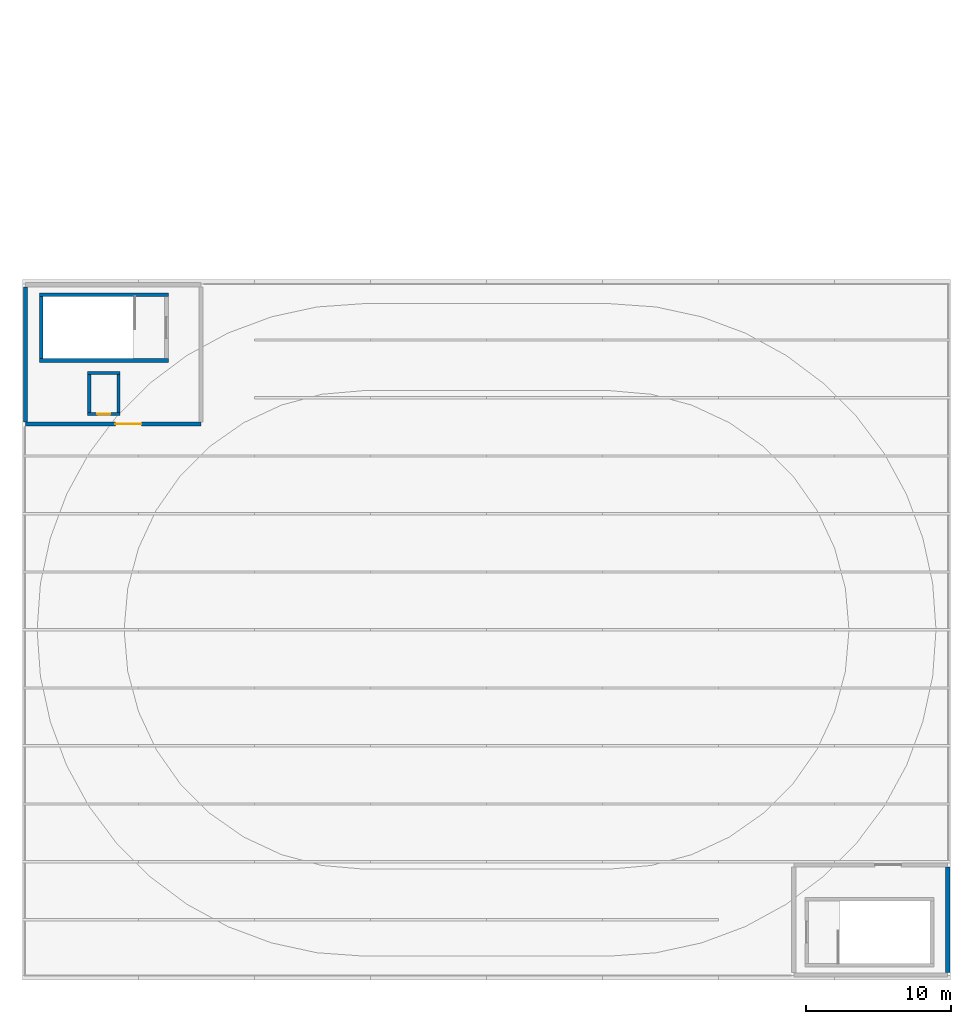
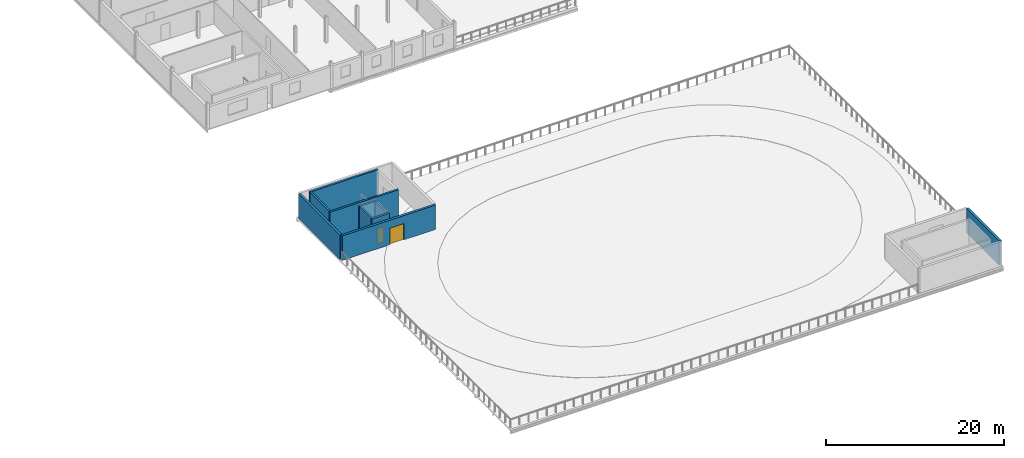
# One storey, part 5 of 11: 10 walls, 2 doors, 2 openings.
"""IFC4 building model written with IfcOpenShell, lengths in metres."""

import ifcopenshell
import ifcopenshell.guid

model = None  # the IFC model being written
_history = None  # IfcOwnerHistory: only IFC2X3 demands one
_inside = {}  # id of a spatial element -> (the spatial element, [elements in it])
_under = {}  # id of a project, library or spatial element -> (it, [spatial elements below it])
_declared = {}  # id of a project -> (the project, [libraries it declares])
_typed = {}  # id of a type object -> (the type object, [elements of that type])
_made_of = {}  # id of a material, layer set ... -> (it, [elements and type objects made of it])


def new_model(schema):
    """Start an empty IFC model of exactly this schema.

    Asked for "IFC4X3", IfcOpenShell would pick the latest addendum, in which some entities
    have other attributes; the version numbers below select the first issue.
    IFC2X3 requires an IfcOwnerHistory on every rooted entity: one is made here for all.
    """
    global model, _history
    if schema == "IFC4X3":
        model = ifcopenshell.file(schema_version=(4, 3, 0, 0))
    else:
        model = ifcopenshell.file(schema=schema)
    _inside.clear()
    _under.clear()
    _declared.clear()
    _typed.clear()
    _made_of.clear()
    _history = None
    if model.schema == "IFC2X3":
        org = make("IfcOrganization", Name="unknown")
        user = make(
            "IfcPersonAndOrganization",
            ThePerson=make("IfcPerson", FamilyName="unknown"),
            TheOrganization=org,
        )
        app = make(
            "IfcApplication",
            ApplicationDeveloper=org,
            Version="unknown",
            ApplicationFullName="unknown",
            ApplicationIdentifier="unknown",
        )
        _history = make(
            "IfcOwnerHistory",
            OwningUser=user,
            OwningApplication=app,
            ChangeAction="ADDED",
            CreationDate=0,
        )
    return model


def make(cls, **values):
    """One entity of the class cls with the attributes given. An attribute that is None is left unset."""
    return model.create_entity(
        cls, **{name: value for name, value in values.items() if value is not None}
    )


def rooted(cls, **values):
    """An entity with a GlobalId (a new one), such as an element, a storey or a relation."""
    return make(cls, GlobalId=ifcopenshell.guid.new(), OwnerHistory=_history, **values)


def si_unit(unit_type, name, prefix=None):
    """IfcSIUnit, for example si_unit("LENGTHUNIT", "METRE", prefix="MILLI")."""
    return make("IfcSIUnit", UnitType=unit_type, Prefix=prefix, Name=name)


def derived_unit(unit_type, elements):
    """IfcDerivedUnit: a product of units, each with its exponent."""
    return make(
        "IfcDerivedUnit",
        Elements=[
            make("IfcDerivedUnitElement", Unit=unit, Exponent=power)
            for unit, power in elements
        ],
        UnitType=unit_type,
    )


def assignment(units):
    """IfcUnitAssignment: the units of a project."""
    return None if units is None else make("IfcUnitAssignment", Units=units)


def point(xyz):
    """IfcCartesianPoint."""
    return None if xyz is None else make("IfcCartesianPoint", Coordinates=xyz)


def direction(xyz):
    """IfcDirection."""
    return None if xyz is None else make("IfcDirection", DirectionRatios=xyz)


def frame(location, z_axis=None, x_axis=None):
    """IfcAxis2Placement3D, a coordinate frame: its origin and axes. An axis left out is left unset."""
    return make(
        "IfcAxis2Placement3D",
        Location=point(location),
        Axis=direction(z_axis),
        RefDirection=direction(x_axis),
    )


def frame_2d(location, x_axis=None):
    """IfcAxis2Placement2D, a coordinate frame in the plane: its origin and x axis."""
    return make(
        "IfcAxis2Placement2D", Location=point(location), RefDirection=direction(x_axis)
    )


def origin():
    """The frame at (0, 0, 0) with its axes left unset."""
    return frame((0.0, 0.0, 0.0))


def place(relative_to, where):
    """IfcLocalPlacement: puts the frame where relative to a parent placement (None: the world)."""
    return make(
        "IfcLocalPlacement", PlacementRelTo=relative_to, RelativePlacement=where
    )


def context(
    kind, dimensions, precision=None, world=None, true_north=None, identifier=None
):
    """IfcGeometricRepresentationContext, for example the 3D "Model" context."""
    return make(
        "IfcGeometricRepresentationContext",
        ContextIdentifier=identifier,
        ContextType=kind,
        CoordinateSpaceDimension=dimensions,
        Precision=precision,
        WorldCoordinateSystem=world,
        TrueNorth=true_north,
    )


def subcontext(parent, identifier, kind, view, scale=None):
    """IfcGeometricRepresentationSubContext, for example "Body" below "Model"."""
    return make(
        "IfcGeometricRepresentationSubContext",
        ContextIdentifier=identifier,
        ContextType=kind,
        ParentContext=parent,
        TargetScale=scale,
        TargetView=view,
    )


def project(units=None, contexts=None):
    """IfcProject with its units and contexts."""
    return rooted(
        "IfcProject",
        Name="project",
        RepresentationContexts=contexts,
        UnitsInContext=assignment(units),
    )


def spatial(cls, under=None, at=None, **own):
    """A site, building, storey or space (cls), placed at a placement, below another one or the project."""
    s = rooted(cls, ObjectPlacement=at, **own)
    if under is not None:
        _under.setdefault(under.id(), (under, []))[1].append(s)
    return s


def profile(cls, at=None, kind="AREA", **sizes):
    """A parametric profile (cls). Its sizes go by their IFC names, for example OverallWidth=200.0."""
    return make(cls, ProfileType=kind, Position=at, **sizes)


def rectangle(**sizes):
    """IfcRectangleProfileDef."""
    return profile("IfcRectangleProfileDef", **sizes)


def extrude(swept, where, along, depth):
    """IfcExtrudedAreaSolid: the profile swept, set in the frame where, extruded along a direction by depth."""
    return make(
        "IfcExtrudedAreaSolid",
        SweptArea=swept,
        Position=where,
        ExtrudedDirection=direction(along),
        Depth=depth,
    )


def shape(context_of_items, identifier, shape_type, items):
    """IfcShapeRepresentation: the items that make up one representation, for example the "Body"."""
    return make(
        "IfcShapeRepresentation",
        ContextOfItems=context_of_items,
        RepresentationIdentifier=identifier,
        RepresentationType=shape_type,
        Items=items,
    )


def material(Name=None, Category=None):
    """IfcMaterial."""
    return make("IfcMaterial", Name=Name, Category=Category)


def layer(
    of_material, thickness, ventilated=None, Name=None, Category=None, Priority=None
):
    """IfcMaterialLayer: one layer of a wall or slab, of a material (None: an air gap)."""
    return make(
        "IfcMaterialLayer",
        Material=of_material,
        LayerThickness=thickness,
        IsVentilated=ventilated,
        Name=Name,
        Category=Category,
        Priority=Priority,
    )


def layer_set(layers, Name=None):
    """IfcMaterialLayerSet."""
    return make("IfcMaterialLayerSet", MaterialLayers=layers, LayerSetName=Name)


def made_of(thing, what):
    """Note that an element or type object is made of a material, layer set ...; save() writes the relation."""
    if what is not None:
        _made_of.setdefault(what.id(), (what, []))[1].append(thing)
    return thing


def type_object(cls, material=None, **own):
    """A type object (cls), such as IfcWallType, which elements share."""
    return made_of(rooted(cls, **own), material)


def element(
    cls,
    number,
    at=None,
    inside=None,
    cuts=None,
    type_object=None,
    material=None,
    context=None,
    identifier="Body",
    shape_type=None,
    held_by="IfcProductDefinitionShape",
    body=None,
    shapes=None,
    **own,
):
    """One element of the class cls, such as IfcWall. Its Tag is "e" and its number.

    at: its placement. inside: the storey or other place that contains it. cuts: it is an
    opening in that element (IfcRelVoidsElement). A single representation is given by context,
    identifier, shape_type and body (its items); several are given by shapes. held_by: the class
    of the entity that holds the representations. save() writes the other relations.
    """
    e = rooted(cls, Tag="e%d" % number, ObjectPlacement=at, **own)
    if body is not None:
        shapes = [shape(context, identifier, shape_type, body)]
    if shapes is not None:
        e.Representation = make(held_by, Representations=shapes)
    if inside is not None:
        _inside.setdefault(inside.id(), (inside, []))[1].append(e)
    if cuts is not None:
        rooted(
            "IfcRelVoidsElement", RelatingBuildingElement=cuts, RelatedOpeningElement=e
        )
    if type_object is not None:
        _typed.setdefault(type_object.id(), (type_object, []))[1].append(e)
    return made_of(e, material)


def fill(opening, filler):
    """IfcRelFillsElement: the door or window that sits in an opening."""
    return rooted(
        "IfcRelFillsElement",
        RelatingOpeningElement=opening,
        RelatedBuildingElement=filler,
    )


def aggregate(whole, parts):
    """IfcRelAggregates: a whole, such as a stair, and the parts it consists of."""
    return rooted("IfcRelAggregates", RelatingObject=whole, RelatedObjects=parts)


def save(model, path):
    """Write the relations noted so far, then the file.

    IfcRelAggregates (storeys below a building ...), IfcRelContainedInSpatialStructure (elements
    in a storey), IfcRelDefinesByType, IfcRelAssociatesMaterial and IfcRelDeclares: one each for
    every whole, place, type object, material and project.
    """
    for whole, parts in _under.values():
        aggregate(whole, parts)
    for where, things in _inside.values():
        rooted(
            "IfcRelContainedInSpatialStructure",
            RelatedElements=things,
            RelatingStructure=where,
        )
    for kind, things in _typed.values():
        rooted("IfcRelDefinesByType", RelatedObjects=things, RelatingType=kind)
    for what, things in _made_of.values():
        rooted("IfcRelAssociatesMaterial", RelatedObjects=things, RelatingMaterial=what)
    for by, libraries in _declared.values():
        rooted("IfcRelDeclares", RelatingContext=by, RelatedDefinitions=libraries)
    model.write(path)


model = new_model("IFC4")

# Units and contexts
model_context = context("Model", 3, precision=1e-05, world=origin(), true_north=direction((0.0, 1.0)))
body_context = subcontext(model_context, "Body", "Model", "MODEL_VIEW")
ifc_project = project(units=[si_unit("LENGTHUNIT", "METRE"), si_unit("AREAUNIT", "SQUARE_METRE"), si_unit("VOLUMEUNIT", "CUBIC_METRE"), si_unit("PLANEANGLEUNIT", "RADIAN"), si_unit("MASSUNIT", "GRAM", prefix="KILO"), derived_unit("THERMALTRANSMITTANCEUNIT", [(si_unit("POWERUNIT", "WATT"), 1), (si_unit("LENGTHUNIT", "METRE"), -2), (si_unit("THERMODYNAMICTEMPERATUREUNIT", "KELVIN"), -1)])], contexts=[model_context])

# Site, building, storey
site_placement = place(None, origin())
site = spatial("IfcSite", under=ifc_project, at=site_placement, CompositionType="ELEMENT")
building_placement = place(site_placement, origin())
building = spatial("IfcBuilding", under=site, at=building_placement, Name="Keldorne Ridge Multi-Sports Centre", CompositionType="ELEMENT")
storey_placement = place(building_placement, frame((0.0, 0.0, 18.60009765625)))
storey = spatial("IfcBuildingStorey", under=building, at=storey_placement, Name="L04", CompositionType="ELEMENT", Elevation=18.60009765625)

# Wall, opening, door
ifc_material_1 = material(Name="Precast concrete C40/50", Category="concrete")
ifc_layer_1 = layer(ifc_material_1, 0.300048828125)
ifc_layer_set_1 = layer_set([ifc_layer_1], Name="Precast concrete C40/50")
wall_type_1 = type_object("IfcWallType", Name="WAL-PR-W4", PredefinedType="STANDARD", material=ifc_layer_set_1)
wall_1_placement = place(storey_placement, frame((104.199951171875, 44.199951171875, 0.0), z_axis=(0.0, 0.0, 1.0), x_axis=(1.0, 0.0, 0.0)))
wall_1 = element("IfcWall", 1, at=wall_1_placement, inside=storey, type_object=wall_type_1, Name="Track headhouse C4 south wall", PredefinedType="STANDARD", context=body_context, shape_type="SweptSolid", body=[
    extrude(rectangle(XDim=12.10009765625, YDim=0.300048828125, at=frame_2d((6.050048828125, 0.0))), origin(), (0.0, 0.0, 1.0), 3.35986328125),
])
opening_1_placement = place(wall_1_placement, frame((6.199951171875, 0.0, 0.0)))
opening_1 = element("IfcOpeningElement", 2, at=opening_1_placement, cuts=wall_1, Name="Opening ED-05", PredefinedType="OPENING", context=body_context, shape_type="SweptSolid", body=[
    extrude(rectangle(XDim=1.800048828125, YDim=2.25, at=frame_2d((0.89990234375, 1.125))), frame((0.0, 0.16015625, 0.0), z_axis=(0.0, -1.0, 0.0), x_axis=(1.0, 0.0, 0.0)), (0.0, 0.0, 1.0), 0.320068359375),
])
ifc_material_2 = material(Name="Galvanized steel", Category="steel")
door_type_1 = type_object("IfcDoorType", Name="DR-ED-05", OperationType="NOTDEFINED", PredefinedType="DOOR", material=ifc_material_2)
door_1_placement = place(opening_1_placement, origin())
door_1 = element("IfcDoor", 3, at=door_1_placement, inside=storey, type_object=door_type_1, Name="Rooftop Running Track access door C4", OperationType="DOUBLE_DOOR_SINGLE_SWING", OverallHeight=2.25, OverallWidth=1.800048828125, PredefinedType="DOOR", context=body_context, shape_type="SweptSolid", body=[
    extrude(rectangle(XDim=1.800048828125, YDim=2.25, at=frame_2d((0.89990234375, 1.125))), frame((0.0, 0.02490234375, 0.0), z_axis=(0.0, -1.0, 0.0), x_axis=(1.0, 0.0, 0.0)), (0.0, 0.0, 1.0), 0.050048828125),
])
fill(opening_1, door_1)

# Walls
wall_2_placement = place(storey_placement, frame((104.199951171875, 53.64794921875, 0.0), z_axis=(0.0, 0.0, 1.0), x_axis=(0.0, -1.0, 0.0)))
element("IfcWall", 4, at=wall_2_placement, inside=storey, type_object=wall_type_1, Name="Track headhouse C4 west wall", PredefinedType="STANDARD", context=body_context, shape_type="SweptSolid", body=[
    extrude(rectangle(XDim=9.2958984375, YDim=0.300048828125, at=frame_2d((4.64794921875, 0.0))), origin(), (0.0, 0.0, 1.0), 3.35986328125),
])
wall_3_placement = place(storey_placement, frame((167.800048828125, 6.35205078125, 0.0), z_axis=(0.0, 0.0, 1.0), x_axis=(0.0, 1.0, 0.0)))
element("IfcWall", 5, at=wall_3_placement, inside=storey, type_object=wall_type_1, Name="Track headhouse C5 east wall", PredefinedType="STANDARD", context=body_context, shape_type="SweptSolid", body=[
    extrude(rectangle(XDim=7.2958984375, YDim=0.300048828125, at=frame_2d((3.64794921875, 0.0))), origin(), (0.0, 0.0, 1.0), 3.35986328125),
])
ifc_material_3 = material(Name="Concrete C40/50", Category="concrete")
ifc_layer_2 = layer(ifc_material_3, 0.25)
ifc_layer_set_2 = layer_set([ifc_layer_2], Name="Concrete C40/50")
wall_type_2 = type_object("IfcWallType", Name="WAL-SW01", PredefinedType="SHEAR", material=ifc_layer_set_2)
wall_4_placement = place(storey_placement, frame((105.27490234375, 53.0, 0.0), z_axis=(0.0, 0.0, 1.0), x_axis=(0.0, -1.0, 0.0)))
element("IfcWall", 6, at=wall_4_placement, inside=storey, type_object=wall_type_2, Name="Stair ST-04 shaft wall L04 FAR", PredefinedType="SHEAR", context=body_context, shape_type="SweptSolid", body=[
    extrude(rectangle(XDim=4.300048828125, YDim=0.25, at=frame_2d((2.14990234375, 0.0))), origin(), (0.0, 0.0, 1.0), 3.599853515625),
])
for number, where, z_axis, x_axis, name in (
    (7, (105.14990234375, 48.574951171875, 0.0), (0.0, 0.0, 1.0), (1.0, 0.0, 0.0), "Stair ST-04 shaft wall L04 SOUTH"),
    (8, (114.050048828125, 53.125, 0.0), (0.0, 0.0, 1.0), (-1.0, 0.0, 0.0), "Stair ST-04 shaft wall L04 NORTH"),
):
    element("IfcWall", number, at=place(storey_placement, frame(where, z_axis=z_axis, x_axis=x_axis)), inside=storey, type_object=wall_type_2, Name=name, PredefinedType="SHEAR", context=body_context, shape_type="SweptSolid", body=[
        extrude(rectangle(XDim=8.900146484375, YDim=0.25, at=frame_2d((4.4501953125, 0.0))), origin(), (0.0, 0.0, 1.0), 3.599853515625),
    ])

# Wall, opening, door
ifc_layer_3 = layer(ifc_material_3, 0.22998046875)
ifc_layer_set_3 = layer_set([ifc_layer_3], Name="Concrete C40/50")
wall_type_3 = type_object("IfcWallType", Name="WAL-SW02", PredefinedType="SHEAR", material=ifc_layer_set_3)
wall_5_placement = place(storey_placement, frame((108.47998046875, 44.889892578125, 0.0), z_axis=(0.0, 0.0, 1.0), x_axis=(1.0, 0.0, 0.0)))
wall_5 = element("IfcWall", 9, at=wall_5_placement, inside=storey, type_object=wall_type_3, Name="Lift L-03 shaft wall L04 south", PredefinedType="SHEAR", context=body_context, shape_type="SweptSolid", body=[
    extrude(rectangle(XDim=2.239990234375, YDim=0.219970703125, at=frame_2d((1.1201171875, 0.0))), origin(), (0.0, 0.0, 1.0), 3.75),
])
opening_2_placement = place(wall_5_placement, frame((0.669921875, 0.0, 0.0)))
opening_2 = element("IfcOpeningElement", 10, at=opening_2_placement, cuts=wall_5, Name="Opening LD-02", PredefinedType="OPENING", context=body_context, shape_type="SweptSolid", body=[
    extrude(rectangle(XDim=0.89990234375, YDim=2.14990234375, at=frame_2d((0.449951171875, 1.074951171875))), frame((0.0, 0.1201171875, 0.0), z_axis=(0.0, -1.0, 0.0), x_axis=(1.0, 0.0, 0.0)), (0.0, 0.0, 1.0), 0.239990234375),
])
ifc_material_4 = material(Name="Stainless steel", Category="steel")
door_type_2 = type_object("IfcDoorType", Name="DR-LD-02", OperationType="NOTDEFINED", PredefinedType="DOOR", material=ifc_material_4)
door_2_placement = place(opening_2_placement, origin())
door_2 = element("IfcDoor", 11, at=door_2_placement, inside=storey, type_object=door_type_2, Name="Lift L-03 sliding landing door L04", OperationType="SLIDING_TO_LEFT", OverallHeight=2.14990234375, OverallWidth=0.89990234375, PredefinedType="DOOR", context=body_context, shape_type="SweptSolid", body=[
    extrude(rectangle(XDim=0.89990234375, YDim=2.14990234375, at=frame_2d((0.449951171875, 1.074951171875))), frame((0.0, 0.02490234375, 0.0), z_axis=(0.0, -1.0, 0.0), x_axis=(1.0, 0.0, 0.0)), (0.0, 0.0, 1.0), 0.050048828125),
])
fill(opening_2, door_2)

# Walls
wall_6_placement = place(storey_placement, frame((110.719970703125, 47.7099609375, 0.0), z_axis=(0.0, 0.0, 1.0), x_axis=(-1.0, 0.0, 0.0)))
element("IfcWall", 12, at=wall_6_placement, inside=storey, type_object=wall_type_3, Name="Lift L-03 shaft wall L04 north", PredefinedType="SHEAR", context=body_context, shape_type="SweptSolid", body=[
    extrude(rectangle(XDim=2.239990234375, YDim=0.219970703125, at=frame_2d((1.1201171875, 0.0))), origin(), (0.0, 0.0, 1.0), 3.75),
])
for number, where, z_axis, x_axis, name in (
    (13, (108.590087890625, 47.60009765625, 0.0), (0.0, 0.0, 1.0), (0.0, -1.0, 0.0), "Lift L-03 shaft wall L04 west"),
    (14, (110.610107421875, 45.0, 0.0), (0.0, 0.0, 1.0), (0.0, 1.0, 0.0), "Lift L-03 shaft wall L04 east"),
):
    element("IfcWall", number, at=place(storey_placement, frame(where, z_axis=z_axis, x_axis=x_axis)), inside=storey, type_object=wall_type_3, Name=name, PredefinedType="SHEAR", context=body_context, shape_type="SweptSolid", body=[
        extrude(rectangle(XDim=2.60009765625, YDim=0.219970703125, at=frame_2d((1.300048828125, 0.0))), origin(), (0.0, 0.0, 1.0), 3.75),
    ])

save(model, "model.ifc")
